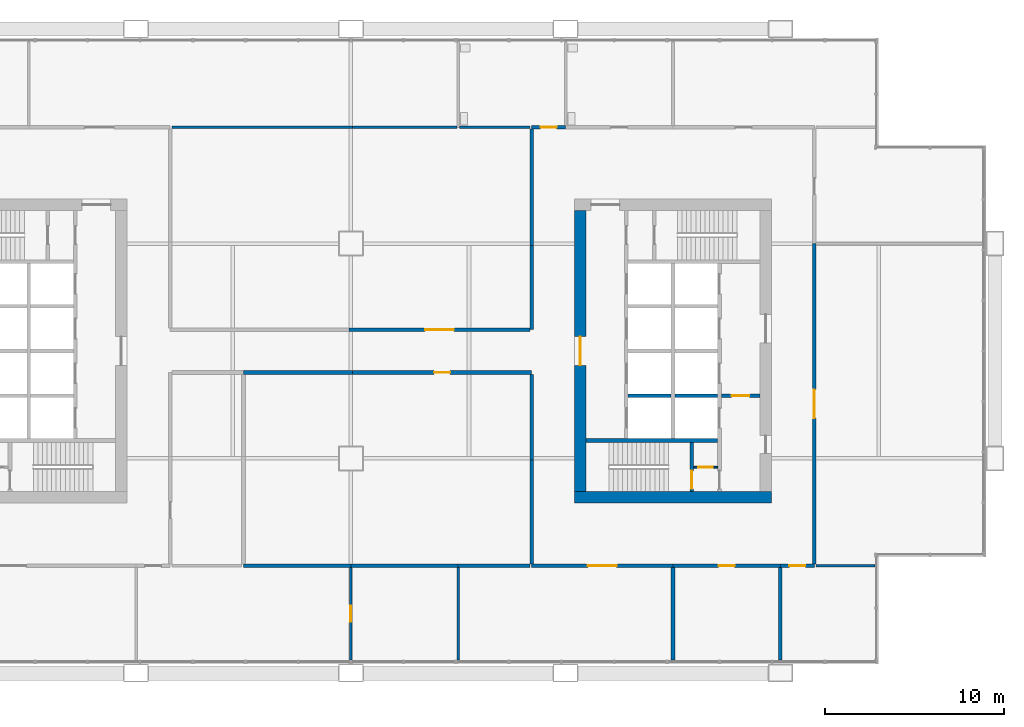
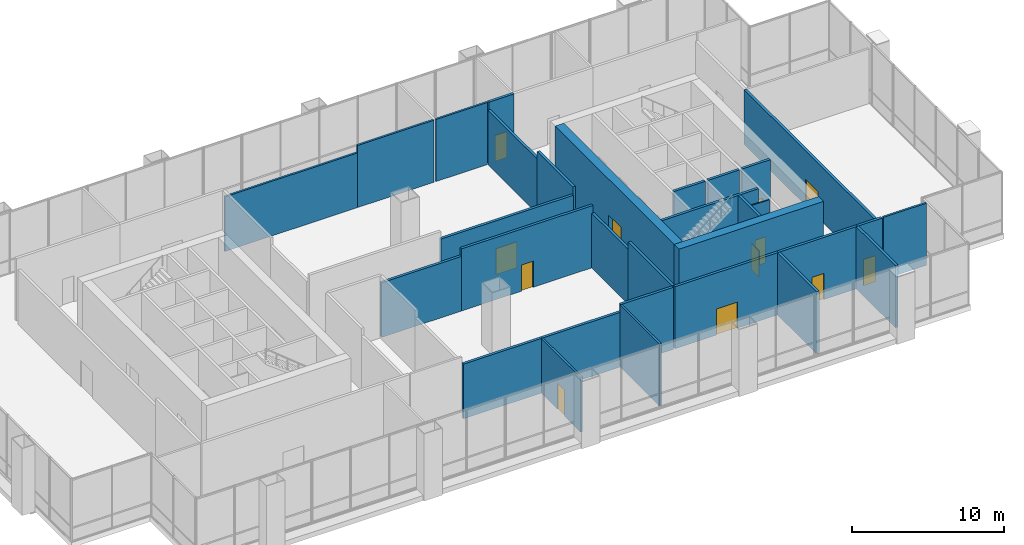
# One storey, part 16 of 20: 31 walls, 12 doors, 12 openings.
"""IFC4 building model written with IfcOpenShell, lengths in metres."""

import ifcopenshell
import ifcopenshell.guid

model = None  # the IFC model being written
_history = None  # IfcOwnerHistory: only IFC2X3 demands one
_inside = {}  # id of a spatial element -> (the spatial element, [elements in it])
_under = {}  # id of a project, library or spatial element -> (it, [spatial elements below it])
_declared = {}  # id of a project -> (the project, [libraries it declares])
_typed = {}  # id of a type object -> (the type object, [elements of that type])
_made_of = {}  # id of a material, layer set ... -> (it, [elements and type objects made of it])


def new_model(schema):
    """Start an empty IFC model of exactly this schema.

    Asked for "IFC4X3", IfcOpenShell would pick the latest addendum, in which some entities
    have other attributes; the version numbers below select the first issue.
    IFC2X3 requires an IfcOwnerHistory on every rooted entity: one is made here for all.
    """
    global model, _history
    if schema == "IFC4X3":
        model = ifcopenshell.file(schema_version=(4, 3, 0, 0))
    else:
        model = ifcopenshell.file(schema=schema)
    _inside.clear()
    _under.clear()
    _declared.clear()
    _typed.clear()
    _made_of.clear()
    _history = None
    if model.schema == "IFC2X3":
        org = make("IfcOrganization", Name="unknown")
        user = make(
            "IfcPersonAndOrganization",
            ThePerson=make("IfcPerson", FamilyName="unknown"),
            TheOrganization=org,
        )
        app = make(
            "IfcApplication",
            ApplicationDeveloper=org,
            Version="unknown",
            ApplicationFullName="unknown",
            ApplicationIdentifier="unknown",
        )
        _history = make(
            "IfcOwnerHistory",
            OwningUser=user,
            OwningApplication=app,
            ChangeAction="ADDED",
            CreationDate=0,
        )
    return model


def make(cls, **values):
    """One entity of the class cls with the attributes given. An attribute that is None is left unset."""
    return model.create_entity(
        cls, **{name: value for name, value in values.items() if value is not None}
    )


def rooted(cls, **values):
    """An entity with a GlobalId (a new one), such as an element, a storey or a relation."""
    return make(cls, GlobalId=ifcopenshell.guid.new(), OwnerHistory=_history, **values)


def si_unit(unit_type, name, prefix=None):
    """IfcSIUnit, for example si_unit("LENGTHUNIT", "METRE", prefix="MILLI")."""
    return make("IfcSIUnit", UnitType=unit_type, Prefix=prefix, Name=name)


def assignment(units):
    """IfcUnitAssignment: the units of a project."""
    return None if units is None else make("IfcUnitAssignment", Units=units)


def point(xyz):
    """IfcCartesianPoint."""
    return None if xyz is None else make("IfcCartesianPoint", Coordinates=xyz)


def direction(xyz):
    """IfcDirection."""
    return None if xyz is None else make("IfcDirection", DirectionRatios=xyz)


def frame(location, z_axis=None, x_axis=None):
    """IfcAxis2Placement3D, a coordinate frame: its origin and axes. An axis left out is left unset."""
    return make(
        "IfcAxis2Placement3D",
        Location=point(location),
        Axis=direction(z_axis),
        RefDirection=direction(x_axis),
    )


def frame_2d(location, x_axis=None):
    """IfcAxis2Placement2D, a coordinate frame in the plane: its origin and x axis."""
    return make(
        "IfcAxis2Placement2D", Location=point(location), RefDirection=direction(x_axis)
    )


def origin():
    """The frame at (0, 0, 0) with its axes left unset."""
    return frame((0.0, 0.0, 0.0))


def place(relative_to, where):
    """IfcLocalPlacement: puts the frame where relative to a parent placement (None: the world)."""
    return make(
        "IfcLocalPlacement", PlacementRelTo=relative_to, RelativePlacement=where
    )


def context(
    kind, dimensions, precision=None, world=None, true_north=None, identifier=None
):
    """IfcGeometricRepresentationContext, for example the 3D "Model" context."""
    return make(
        "IfcGeometricRepresentationContext",
        ContextIdentifier=identifier,
        ContextType=kind,
        CoordinateSpaceDimension=dimensions,
        Precision=precision,
        WorldCoordinateSystem=world,
        TrueNorth=true_north,
    )


def subcontext(parent, identifier, kind, view, scale=None):
    """IfcGeometricRepresentationSubContext, for example "Body" below "Model"."""
    return make(
        "IfcGeometricRepresentationSubContext",
        ContextIdentifier=identifier,
        ContextType=kind,
        ParentContext=parent,
        TargetScale=scale,
        TargetView=view,
    )


def project(units=None, contexts=None):
    """IfcProject with its units and contexts."""
    return rooted(
        "IfcProject",
        Name="project",
        RepresentationContexts=contexts,
        UnitsInContext=assignment(units),
    )


def spatial(cls, under=None, at=None, **own):
    """A site, building, storey or space (cls), placed at a placement, below another one or the project."""
    s = rooted(cls, ObjectPlacement=at, **own)
    if under is not None:
        _under.setdefault(under.id(), (under, []))[1].append(s)
    return s


def profile(cls, at=None, kind="AREA", **sizes):
    """A parametric profile (cls). Its sizes go by their IFC names, for example OverallWidth=200.0."""
    return make(cls, ProfileType=kind, Position=at, **sizes)


def rectangle(**sizes):
    """IfcRectangleProfileDef."""
    return profile("IfcRectangleProfileDef", **sizes)


def extrude(swept, where, along, depth):
    """IfcExtrudedAreaSolid: the profile swept, set in the frame where, extruded along a direction by depth."""
    return make(
        "IfcExtrudedAreaSolid",
        SweptArea=swept,
        Position=where,
        ExtrudedDirection=direction(along),
        Depth=depth,
    )


def shape(context_of_items, identifier, shape_type, items):
    """IfcShapeRepresentation: the items that make up one representation, for example the "Body"."""
    return make(
        "IfcShapeRepresentation",
        ContextOfItems=context_of_items,
        RepresentationIdentifier=identifier,
        RepresentationType=shape_type,
        Items=items,
    )


def material(Name=None, Category=None):
    """IfcMaterial."""
    return make("IfcMaterial", Name=Name, Category=Category)


def layer(
    of_material, thickness, ventilated=None, Name=None, Category=None, Priority=None
):
    """IfcMaterialLayer: one layer of a wall or slab, of a material (None: an air gap)."""
    return make(
        "IfcMaterialLayer",
        Material=of_material,
        LayerThickness=thickness,
        IsVentilated=ventilated,
        Name=Name,
        Category=Category,
        Priority=Priority,
    )


def layer_set(layers, Name=None):
    """IfcMaterialLayerSet."""
    return make("IfcMaterialLayerSet", MaterialLayers=layers, LayerSetName=Name)


def made_of(thing, what):
    """Note that an element or type object is made of a material, layer set ...; save() writes the relation."""
    if what is not None:
        _made_of.setdefault(what.id(), (what, []))[1].append(thing)
    return thing


def type_object(cls, material=None, **own):
    """A type object (cls), such as IfcWallType, which elements share."""
    return made_of(rooted(cls, **own), material)


def element(
    cls,
    number,
    at=None,
    inside=None,
    cuts=None,
    type_object=None,
    material=None,
    context=None,
    identifier="Body",
    shape_type=None,
    held_by="IfcProductDefinitionShape",
    body=None,
    shapes=None,
    **own,
):
    """One element of the class cls, such as IfcWall. Its Tag is "e" and its number.

    at: its placement. inside: the storey or other place that contains it. cuts: it is an
    opening in that element (IfcRelVoidsElement). A single representation is given by context,
    identifier, shape_type and body (its items); several are given by shapes. held_by: the class
    of the entity that holds the representations. save() writes the other relations.
    """
    e = rooted(cls, Tag="e%d" % number, ObjectPlacement=at, **own)
    if body is not None:
        shapes = [shape(context, identifier, shape_type, body)]
    if shapes is not None:
        e.Representation = make(held_by, Representations=shapes)
    if inside is not None:
        _inside.setdefault(inside.id(), (inside, []))[1].append(e)
    if cuts is not None:
        rooted(
            "IfcRelVoidsElement", RelatingBuildingElement=cuts, RelatedOpeningElement=e
        )
    if type_object is not None:
        _typed.setdefault(type_object.id(), (type_object, []))[1].append(e)
    return made_of(e, material)


def fill(opening, filler):
    """IfcRelFillsElement: the door or window that sits in an opening."""
    return rooted(
        "IfcRelFillsElement",
        RelatingOpeningElement=opening,
        RelatedBuildingElement=filler,
    )


def aggregate(whole, parts):
    """IfcRelAggregates: a whole, such as a stair, and the parts it consists of."""
    return rooted("IfcRelAggregates", RelatingObject=whole, RelatedObjects=parts)


def save(model, path):
    """Write the relations noted so far, then the file.

    IfcRelAggregates (storeys below a building ...), IfcRelContainedInSpatialStructure (elements
    in a storey), IfcRelDefinesByType, IfcRelAssociatesMaterial and IfcRelDeclares: one each for
    every whole, place, type object, material and project.
    """
    for whole, parts in _under.values():
        aggregate(whole, parts)
    for where, things in _inside.values():
        rooted(
            "IfcRelContainedInSpatialStructure",
            RelatedElements=things,
            RelatingStructure=where,
        )
    for kind, things in _typed.values():
        rooted("IfcRelDefinesByType", RelatedObjects=things, RelatingType=kind)
    for what, things in _made_of.values():
        rooted("IfcRelAssociatesMaterial", RelatedObjects=things, RelatingMaterial=what)
    for by, libraries in _declared.values():
        rooted("IfcRelDeclares", RelatingContext=by, RelatedDefinitions=libraries)
    model.write(path)


model = new_model("IFC4")

# Units and contexts
model_context = context("Model", 3, precision=1e-05, world=origin(), true_north=direction((0.0, 1.0)))
body_context = subcontext(model_context, "Body", "Model", "MODEL_VIEW")
ifc_project = project(units=[si_unit("LENGTHUNIT", "METRE"), si_unit("AREAUNIT", "SQUARE_METRE"), si_unit("VOLUMEUNIT", "CUBIC_METRE"), si_unit("PLANEANGLEUNIT", "RADIAN"), si_unit("MASSUNIT", "GRAM", prefix="KILO")], contexts=[model_context])

# Site, building, storey
site_placement = place(None, origin())
site = spatial("IfcSite", under=ifc_project, at=site_placement, CompositionType="ELEMENT")
building_placement = place(site_placement, origin())
building = spatial("IfcBuilding", under=site, at=building_placement, Name="Kitamizu Gate Tower and Museum", CompositionType="ELEMENT")
storey_placement = place(building_placement, frame((0.0, 0.0, 148.35009765625)))
storey = spatial("IfcBuildingStorey", under=building, at=storey_placement, Name="L39", CompositionType="ELEMENT", Elevation=148.35009765625)

# Wall
ifc_material_1 = material(Name="Concrete Fc60", Category="concrete")
ifc_layer_1 = layer(ifc_material_1, 0.64990234375)
ifc_layer_set_1 = layer_set([ifc_layer_1], Name="Concrete Fc60")
wall_type_1 = type_object("IfcWallType", Name="Core wall 650", PredefinedType="SHEAR", material=ifc_layer_set_1)
wall_1_placement = place(storey_placement, frame((59.5, 21.824951171875, 0.0), z_axis=(0.0, 0.0, 1.0), x_axis=(-1.0, 0.0, 0.0)))
element("IfcWall", 1, at=wall_1_placement, inside=storey, type_object=wall_type_1, Name="Core wall ES", PredefinedType="SHEAR", context=body_context, shape_type="SweptSolid", body=[
    extrude(rectangle(XDim=11.0, YDim=0.64990234375, at=frame_2d((5.5, 0.0))), origin(), (0.0, 0.0, 1.0), 5.0),
])

# Wall, opening, door
wall_2_placement = place(storey_placement, frame((48.824951171875, 22.14990234375, 0.0), z_axis=(0.0, 0.0, 1.0), x_axis=(0.0, 1.0, 0.0)))
wall_2 = element("IfcWall", 2, at=wall_2_placement, inside=storey, type_object=wall_type_1, Name="Core wall EARC", PredefinedType="SHEAR", context=body_context, shape_type="SweptSolid", body=[
    extrude(rectangle(XDim=15.7001953125, YDim=0.64990234375, at=frame_2d((7.85009765625, 0.0))), origin(), (0.0, 0.0, 1.0), 5.0),
])
opening_1_placement = place(wall_2_placement, frame((7.050048828125, 0.0, 0.0)))
opening_1 = element("IfcOpeningElement", 3, at=opening_1_placement, cuts=wall_2, Name="Opening L39-037", PredefinedType="OPENING", context=body_context, shape_type="SweptSolid", body=[
    extrude(rectangle(XDim=1.60009765625, YDim=2.10009765625, at=frame_2d((0.800048828125, 1.050048828125))), frame((0.0, 0.3349609375, 0.0), z_axis=(0.0, -1.0, 0.0), x_axis=(1.0, 0.0, 0.0)), (0.0, 0.0, 1.0), 0.669921875),
])
ifc_material_2 = material(Name="Timber door set", Category="wood")
door_type_1 = type_object("IfcDoorType", Name="Entrance door 1600", OperationType="DOUBLE_DOOR_SINGLE_SWING", PredefinedType="DOOR", material=ifc_material_2)
door_1_placement = place(opening_1_placement, origin())
door_1 = element("IfcDoor", 4, at=door_1_placement, inside=storey, type_object=door_type_1, Name="Lobby door L39-037", OperationType="DOUBLE_DOOR_SINGLE_SWING", OverallHeight=2.10009765625, OverallWidth=1.60009765625, PredefinedType="DOOR", context=body_context, shape_type="SweptSolid", body=[
    extrude(rectangle(XDim=1.60009765625, YDim=2.10009765625, at=frame_2d((0.800048828125, 1.050048828125))), frame((0.0, 0.02490234375, 0.0), z_axis=(0.0, -1.0, 0.0), x_axis=(1.0, 0.0, 0.0)), (0.0, 0.0, 1.0), 0.050048828125),
])
fill(opening_1, door_1)

ifc_material_3 = material(Name="Gypsum board on galvanised stud")
ifc_layer_2 = layer(ifc_material_3, 0.10009765625)
ifc_layer_set_2 = layer_set([ifc_layer_2], Name="Gypsum board on galvanised stud")
wall_type_2 = type_object("IfcWallType", Name="Partition 100", PredefinedType="PARTITIONING", material=ifc_layer_set_2)
wall_3_placement = place(storey_placement, frame((56.5, 23.5, 0.0), z_axis=(0.0, 0.0, 1.0), x_axis=(-1.0, 0.0, 0.0)))
wall_3 = element("IfcWall", 5, at=wall_3_placement, inside=storey, type_object=wall_type_2, Name="Partition EPZS", PredefinedType="PARTITIONING", context=body_context, shape_type="SweptSolid", body=[
    extrude(rectangle(XDim=1.35009765625, YDim=0.10009765625, at=frame_2d((0.675048828125, 0.0))), origin(), (0.0, 0.0, 1.0), 5.0),
])
opening_2_placement = place(wall_3_placement, frame((0.27490234375, 0.0, 0.0)))
opening_2 = element("IfcOpeningElement", 6, at=opening_2_placement, cuts=wall_3, Name="Opening L39-033", PredefinedType="OPENING", context=body_context, shape_type="SweptSolid", body=[
    extrude(rectangle(XDim=0.800048828125, YDim=2.10009765625, at=frame_2d((0.39990234375, 1.050048828125))), frame((0.0, 0.06005859375, 0.0), z_axis=(0.0, -1.0, 0.0), x_axis=(1.0, 0.0, 0.0)), (0.0, 0.0, 1.0), 0.1201171875),
])
ifc_material_4 = material(Name="Timber door set", Category="wood")
door_type_2 = type_object("IfcDoorType", Name="Cupboard door 800", OperationType="NOTDEFINED", PredefinedType="DOOR", material=ifc_material_4)
door_2_placement = place(opening_2_placement, origin())
door_2 = element("IfcDoor", 7, at=door_2_placement, inside=storey, type_object=door_type_2, Name="Cupboard door L39-033", OperationType="SINGLE_SWING_RIGHT", OverallHeight=2.10009765625, OverallWidth=0.800048828125, PredefinedType="DOOR", context=body_context, shape_type="SweptSolid", body=[
    extrude(rectangle(XDim=0.800048828125, YDim=2.10009765625, at=frame_2d((0.39990234375, 1.050048828125))), frame((0.0, 0.02490234375, 0.0), z_axis=(0.0, -1.0, 0.0), x_axis=(1.0, 0.0, 0.0)), (0.0, 0.0, 1.0), 0.050048828125),
])
fill(opening_2, door_2)

ifc_material_5 = material(Name="Gypsum board on galvanised stud")
ifc_layer_3 = layer(ifc_material_5, 0.14990234375)
ifc_layer_set_3 = layer_set([ifc_layer_3], Name="Gypsum board on galvanised stud")
wall_type_3 = type_object("IfcWallType", Name="Partition 150", PredefinedType="PARTITIONING", material=ifc_layer_set_3)
wall_4_placement = place(storey_placement, frame((36.0, 12.719970703125, 0.0), z_axis=(0.0, 0.0, 1.0), x_axis=(0.0, 1.0, 0.0)))
wall_4 = element("IfcWall", 8, at=wall_4_placement, inside=storey, type_object=wall_type_3, Name="Partition L39-030", PredefinedType="PARTITIONING", context=body_context, shape_type="SweptSolid", body=[
    extrude(rectangle(XDim=5.179931640625, YDim=0.14990234375, at=frame_2d((2.58984375, 0.0))), origin(), (0.0, 0.0, 1.0), 4.39990234375),
])
opening_3_placement = place(wall_4_placement, frame((2.139892578125, 0.0, 0.0)))
opening_3 = element("IfcOpeningElement", 9, at=opening_3_placement, cuts=wall_4, Name="Opening L39-003", PredefinedType="OPENING", context=body_context, shape_type="SweptSolid", body=[
    extrude(rectangle(XDim=0.89990234375, YDim=2.10009765625, at=frame_2d((0.449951171875, 1.050048828125))), frame((0.0, 0.0849609375, 0.0), z_axis=(0.0, -1.0, 0.0), x_axis=(1.0, 0.0, 0.0)), (0.0, 0.0, 1.0), 0.169921875),
])
ifc_material_6 = material(Name="Timber door set", Category="wood")
door_type_3 = type_object("IfcDoorType", Name="Room door 900", OperationType="NOTDEFINED", PredefinedType="DOOR", material=ifc_material_6)
door_3_placement = place(opening_3_placement, frame((0.89990234375, 0.0, 0.0), x_axis=(-1.0, 0.0, 0.0)))
door_3 = element("IfcDoor", 10, at=door_3_placement, inside=storey, type_object=door_type_3, Name="Door L39-003", OperationType="SINGLE_SWING_LEFT", OverallHeight=2.10009765625, OverallWidth=0.89990234375, PredefinedType="DOOR", context=body_context, shape_type="SweptSolid", body=[
    extrude(rectangle(XDim=0.89990234375, YDim=2.10009765625, at=frame_2d((0.449951171875, 1.050048828125))), frame((0.0, 0.02490234375, 0.0), z_axis=(0.0, -1.0, 0.0), x_axis=(1.0, 0.0, 0.0)), (0.0, 0.0, 1.0), 0.050048828125),
])
fill(opening_3, door_3)

# Walls
wall_5_placement = place(storey_placement, frame((42.0, 12.719970703125, 0.0), z_axis=(0.0, 0.0, 1.0), x_axis=(0.0, 1.0, 0.0)))
element("IfcWall", 11, at=wall_5_placement, inside=storey, type_object=wall_type_3, Name="Partition L39-033", PredefinedType="PARTITIONING", context=body_context, shape_type="SweptSolid", body=[
    extrude(rectangle(XDim=5.179931640625, YDim=0.14990234375, at=frame_2d((2.58984375, 0.0))), origin(), (0.0, 0.0, 1.0), 5.0),
])
wall_6_placement = place(storey_placement, frame((65.280029296875, 18.0, 0.0), z_axis=(0.0, 0.0, 1.0), x_axis=(-1.0, 0.0, 0.0)))
element("IfcWall", 12, at=wall_6_placement, inside=storey, type_object=wall_type_3, Name="Partition L39-038", PredefinedType="PARTITIONING", context=body_context, shape_type="SweptSolid", body=[
    extrude(rectangle(XDim=3.280029296875, YDim=0.14990234375, at=frame_2d((1.64013671875, 0.0))), origin(), (0.0, 0.0, 1.0), 5.0),
])
wall_7_placement = place(storey_placement, frame((26.0, 42.5, 0.0), z_axis=(0.0, 0.0, 1.0), x_axis=(1.0, 0.0, 0.0)))
element("IfcWall", 13, at=wall_7_placement, inside=storey, type_object=wall_type_3, Name="Partition L39-041", PredefinedType="PARTITIONING", context=body_context, shape_type="SweptSolid", body=[
    extrude(rectangle(XDim=10.10009765625, YDim=0.14990234375, at=frame_2d((5.050048828125, 0.0))), origin(), (0.0, 0.0, 1.0), 4.39990234375),
])
wall_8_placement = place(storey_placement, frame((36.10009765625, 42.5, 0.0), z_axis=(0.0, 0.0, 1.0), x_axis=(1.0, 0.0, 0.0)))
element("IfcWall", 14, at=wall_8_placement, inside=storey, type_object=wall_type_3, Name="Partition L39-042", PredefinedType="PARTITIONING", context=body_context, shape_type="SweptSolid", body=[
    extrude(rectangle(XDim=5.824951171875, YDim=0.14990234375, at=frame_2d((2.91259765625, 0.0))), origin(), (0.0, 0.0, 1.0), 5.0),
])
wall_9_placement = place(storey_placement, frame((42.074951171875, 42.5, 0.0), z_axis=(0.0, 0.0, 1.0), x_axis=(1.0, 0.0, 0.0)))
element("IfcWall", 15, at=wall_9_placement, inside=storey, type_object=wall_type_3, Name="Partition L39-044", PredefinedType="PARTITIONING", context=body_context, shape_type="SweptSolid", body=[
    extrude(rectangle(XDim=3.925048828125, YDim=0.14990234375, at=frame_2d((1.96240234375, 0.0))), origin(), (0.0, 0.0, 1.0), 5.0),
])

# Wall, opening, door
ifc_material_7 = material(Name="Gypsum board on galvanised stud")
ifc_layer_4 = layer(ifc_material_7, 0.199951171875)
ifc_layer_set_4 = layer_set([ifc_layer_4], Name="Gypsum board on galvanised stud")
wall_type_4 = type_object("IfcWallType", Name="Partition 200", PredefinedType="PARTITIONING", material=ifc_layer_set_4)
wall_10_placement = place(storey_placement, frame((46.10009765625, 18.0, 0.0), z_axis=(0.0, 0.0, 1.0), x_axis=(1.0, 0.0, 0.0)))
wall_10 = element("IfcWall", 16, at=wall_10_placement, inside=storey, type_object=wall_type_4, Name="Partition L39-003", PredefinedType="PARTITIONING", context=body_context, shape_type="SweptSolid", body=[
    extrude(rectangle(XDim=7.89990234375, YDim=0.199951171875, at=frame_2d((3.949951171875, 0.0))), origin(), (0.0, 0.0, 1.0), 5.0),
])
opening_4_placement = place(wall_10_placement, frame((3.14990234375, 0.0, 0.0)))
opening_4 = element("IfcOpeningElement", 17, at=opening_4_placement, cuts=wall_10, Name="Opening L39-004", PredefinedType="OPENING", context=body_context, shape_type="SweptSolid", body=[
    extrude(rectangle(XDim=1.60009765625, YDim=2.10009765625, at=frame_2d((0.800048828125, 1.050048828125))), frame((0.0, 0.10986328125, 0.0), z_axis=(0.0, -1.0, 0.0), x_axis=(1.0, 0.0, 0.0)), (0.0, 0.0, 1.0), 0.219970703125),
])
ifc_material_8 = material(Name="Timber door set", Category="wood")
door_type_4 = type_object("IfcDoorType", Name="Double door 1600", OperationType="DOUBLE_DOOR_SINGLE_SWING", PredefinedType="DOOR", material=ifc_material_8)
door_4_placement = place(opening_4_placement, origin())
door_4 = element("IfcDoor", 18, at=door_4_placement, inside=storey, type_object=door_type_4, Name="Double door L39-004", OperationType="DOUBLE_DOOR_SINGLE_SWING", OverallHeight=2.10009765625, OverallWidth=1.60009765625, PredefinedType="DOOR", context=body_context, shape_type="SweptSolid", body=[
    extrude(rectangle(XDim=1.60009765625, YDim=2.10009765625, at=frame_2d((0.800048828125, 1.050048828125))), frame((0.0, 0.02490234375, 0.0), z_axis=(0.0, -1.0, 0.0), x_axis=(1.0, 0.0, 0.0)), (0.0, 0.0, 1.0), 0.050048828125),
])
fill(opening_4, door_4)

wall_11_placement = place(storey_placement, frame((54.0, 18.0, 0.0), z_axis=(0.0, 0.0, 1.0), x_axis=(1.0, 0.0, 0.0)))
wall_11 = element("IfcWall", 19, at=wall_11_placement, inside=storey, type_object=wall_type_4, Name="Partition L39-004", PredefinedType="PARTITIONING", context=body_context, shape_type="SweptSolid", body=[
    extrude(rectangle(XDim=6.0, YDim=0.199951171875, at=frame_2d((3.0, 0.0))), origin(), (0.0, 0.0, 1.0), 5.0),
])
opening_5_placement = place(wall_11_placement, frame((2.550048828125, 0.0, 0.0)))
opening_5 = element("IfcOpeningElement", 20, at=opening_5_placement, cuts=wall_11, Name="Opening L39-005", PredefinedType="OPENING", context=body_context, shape_type="SweptSolid", body=[
    extrude(rectangle(XDim=0.89990234375, YDim=2.10009765625, at=frame_2d((0.449951171875, 1.050048828125))), frame((0.0, 0.10986328125, 0.0), z_axis=(0.0, -1.0, 0.0), x_axis=(1.0, 0.0, 0.0)), (0.0, 0.0, 1.0), 0.219970703125),
])
ifc_material_9 = material(Name="Timber door set", Category="wood")
door_type_5 = type_object("IfcDoorType", Name="Store door 900", OperationType="NOTDEFINED", PredefinedType="DOOR", material=ifc_material_9)
door_5_placement = place(opening_5_placement, frame((0.89990234375, 0.0, 0.0), x_axis=(-1.0, 0.0, 0.0)))
door_5 = element("IfcDoor", 21, at=door_5_placement, inside=storey, type_object=door_type_5, Name="Store door L39-005", OperationType="SINGLE_SWING_RIGHT", OverallHeight=2.10009765625, OverallWidth=0.89990234375, PredefinedType="DOOR", context=body_context, shape_type="SweptSolid", body=[
    extrude(rectangle(XDim=0.89990234375, YDim=2.10009765625, at=frame_2d((0.449951171875, 1.050048828125))), frame((0.0, 0.02490234375, 0.0), z_axis=(0.0, -1.0, 0.0), x_axis=(1.0, 0.0, 0.0)), (0.0, 0.0, 1.0), 0.050048828125),
])
fill(opening_5, door_5)

wall_12_placement = place(storey_placement, frame((60.0, 18.0, 0.0), z_axis=(0.0, 0.0, 1.0), x_axis=(1.0, 0.0, 0.0)))
wall_12 = element("IfcWall", 22, at=wall_12_placement, inside=storey, type_object=wall_type_4, Name="Partition L39-005", PredefinedType="PARTITIONING", context=body_context, shape_type="SweptSolid", body=[
    extrude(rectangle(XDim=1.89990234375, YDim=0.199951171875, at=frame_2d((0.949951171875, 0.0))), origin(), (0.0, 0.0, 1.0), 5.0),
])
opening_6_placement = place(wall_12_placement, frame((0.5, 0.0, 0.0)))
opening_6 = element("IfcOpeningElement", 23, at=opening_6_placement, cuts=wall_12, Name="Opening L39-006", PredefinedType="OPENING", context=body_context, shape_type="SweptSolid", body=[
    extrude(rectangle(XDim=0.89990234375, YDim=2.10009765625, at=frame_2d((0.449951171875, 1.050048828125))), frame((0.0, 0.10986328125, 0.0), z_axis=(0.0, -1.0, 0.0), x_axis=(1.0, 0.0, 0.0)), (0.0, 0.0, 1.0), 0.219970703125),
])
door_6_placement = place(opening_6_placement, frame((0.89990234375, 0.0, 0.0), x_axis=(-1.0, 0.0, 0.0)))
door_6 = element("IfcDoor", 24, at=door_6_placement, inside=storey, type_object=door_type_3, Name="Door L39-006", OperationType="SINGLE_SWING_LEFT", OverallHeight=2.10009765625, OverallWidth=0.89990234375, PredefinedType="DOOR", context=body_context, shape_type="SweptSolid", body=[
    extrude(rectangle(XDim=0.89990234375, YDim=2.10009765625, at=frame_2d((0.449951171875, 1.050048828125))), frame((0.0, 0.02490234375, 0.0), z_axis=(0.0, -1.0, 0.0), x_axis=(1.0, 0.0, 0.0)), (0.0, 0.0, 1.0), 0.050048828125),
])
fill(opening_6, door_6)

wall_13_placement = place(storey_placement, frame((48.0, 42.5, 0.0), z_axis=(0.0, 0.0, 1.0), x_axis=(-1.0, 0.0, 0.0)))
wall_13 = element("IfcWall", 25, at=wall_13_placement, inside=storey, type_object=wall_type_4, Name="Partition L39-008", PredefinedType="PARTITIONING", context=body_context, shape_type="SweptSolid", body=[
    extrude(rectangle(XDim=1.89990234375, YDim=0.199951171875, at=frame_2d((0.949951171875, 0.0))), origin(), (0.0, 0.0, 1.0), 5.0),
])
opening_7_placement = place(wall_13_placement, frame((0.5, 0.0, 0.0)))
opening_7 = element("IfcOpeningElement", 26, at=opening_7_placement, cuts=wall_13, Name="Opening L39-009", PredefinedType="OPENING", context=body_context, shape_type="SweptSolid", body=[
    extrude(rectangle(XDim=0.89990234375, YDim=2.10009765625, at=frame_2d((0.449951171875, 1.050048828125))), frame((0.0, 0.10986328125, 0.0), z_axis=(0.0, -1.0, 0.0), x_axis=(1.0, 0.0, 0.0)), (0.0, 0.0, 1.0), 0.219970703125),
])
door_7_placement = place(opening_7_placement, frame((0.89990234375, 0.0, 0.0), x_axis=(-1.0, 0.0, 0.0)))
door_7 = element("IfcDoor", 27, at=door_7_placement, inside=storey, type_object=door_type_5, Name="Store door L39-009", OperationType="SINGLE_SWING_LEFT", OverallHeight=2.10009765625, OverallWidth=0.89990234375, PredefinedType="DOOR", context=body_context, shape_type="SweptSolid", body=[
    extrude(rectangle(XDim=0.89990234375, YDim=2.10009765625, at=frame_2d((0.449951171875, 1.050048828125))), frame((0.0, 0.02490234375, 0.0), z_axis=(0.0, -1.0, 0.0), x_axis=(1.0, 0.0, 0.0)), (0.0, 0.0, 1.0), 0.050048828125),
])
fill(opening_7, door_7)

wall_14_placement = place(storey_placement, frame((61.89990234375, 18.10009765625, 0.0), z_axis=(0.0, 0.0, 1.0), x_axis=(0.0, 1.0, 0.0)))
wall_14 = element("IfcWall", 28, at=wall_14_placement, inside=storey, type_object=wall_type_4, Name="Partition L39-013", PredefinedType="PARTITIONING", context=body_context, shape_type="SweptSolid", body=[
    extrude(rectangle(XDim=17.89990234375, YDim=0.199951171875, at=frame_2d((8.949951171875, 0.0))), origin(), (0.0, 0.0, 1.0), 4.39990234375),
])
opening_8_placement = place(wall_14_placement, frame((8.14990234375, 0.0, 0.0)))
opening_8 = element("IfcOpeningElement", 29, at=opening_8_placement, cuts=wall_14, Name="Opening L39-013", PredefinedType="OPENING", context=body_context, shape_type="SweptSolid", body=[
    extrude(rectangle(XDim=1.60009765625, YDim=2.10009765625, at=frame_2d((0.800048828125, 1.050048828125))), frame((0.0, 0.10986328125, 0.0), z_axis=(0.0, -1.0, 0.0), x_axis=(1.0, 0.0, 0.0)), (0.0, 0.0, 1.0), 0.219970703125),
])
door_8_placement = place(opening_8_placement, origin())
door_8 = element("IfcDoor", 30, at=door_8_placement, inside=storey, type_object=door_type_4, Name="Double door L39-013", OperationType="DOUBLE_DOOR_SINGLE_SWING", OverallHeight=2.10009765625, OverallWidth=1.60009765625, PredefinedType="DOOR", context=body_context, shape_type="SweptSolid", body=[
    extrude(rectangle(XDim=1.60009765625, YDim=2.10009765625, at=frame_2d((0.800048828125, 1.050048828125))), frame((0.0, 0.02490234375, 0.0), z_axis=(0.0, -1.0, 0.0), x_axis=(1.0, 0.0, 0.0)), (0.0, 0.0, 1.0), 0.050048828125),
])
fill(opening_8, door_8)

# Wall
wall_15_placement = place(storey_placement, frame((30.0, 28.800048828125, 0.0), z_axis=(0.0, 0.0, 1.0), x_axis=(1.0, 0.0, 0.0)))
element("IfcWall", 31, at=wall_15_placement, inside=storey, type_object=wall_type_4, Name="Partition L39-018", PredefinedType="PARTITIONING", context=body_context, shape_type="SweptSolid", body=[
    extrude(rectangle(XDim=6.10009765625, YDim=0.199951171875, at=frame_2d((3.050048828125, 0.0))), origin(), (0.0, 0.0, 1.0), 4.39990234375),
])

# Wall, opening, door
wall_16_placement = place(storey_placement, frame((36.10009765625, 28.800048828125, 0.0), z_axis=(0.0, 0.0, 1.0), x_axis=(1.0, 0.0, 0.0)))
wall_16 = element("IfcWall", 32, at=wall_16_placement, inside=storey, type_object=wall_type_4, Name="Partition L39-019", PredefinedType="PARTITIONING", context=body_context, shape_type="SweptSolid", body=[
    extrude(rectangle(XDim=10.0, YDim=0.199951171875, at=frame_2d((5.0, 0.0))), origin(), (0.0, 0.0, 1.0), 5.0),
])
opening_9_placement = place(wall_16_placement, frame((4.550048828125, 0.0, 0.0)))
opening_9 = element("IfcOpeningElement", 33, at=opening_9_placement, cuts=wall_16, Name="Opening L39-016", PredefinedType="OPENING", context=body_context, shape_type="SweptSolid", body=[
    extrude(rectangle(XDim=0.89990234375, YDim=2.10009765625, at=frame_2d((0.449951171875, 1.050048828125))), frame((0.0, 0.10986328125, 0.0), z_axis=(0.0, -1.0, 0.0), x_axis=(1.0, 0.0, 0.0)), (0.0, 0.0, 1.0), 0.219970703125),
])
door_9_placement = place(opening_9_placement, frame((0.89990234375, 0.0, 0.0), x_axis=(-1.0, 0.0, 0.0)))
door_9 = element("IfcDoor", 34, at=door_9_placement, inside=storey, type_object=door_type_5, Name="Store door L39-016", OperationType="SINGLE_SWING_RIGHT", OverallHeight=2.10009765625, OverallWidth=0.89990234375, PredefinedType="DOOR", context=body_context, shape_type="SweptSolid", body=[
    extrude(rectangle(XDim=0.89990234375, YDim=2.10009765625, at=frame_2d((0.449951171875, 1.050048828125))), frame((0.0, 0.02490234375, 0.0), z_axis=(0.0, -1.0, 0.0), x_axis=(1.0, 0.0, 0.0)), (0.0, 0.0, 1.0), 0.050048828125),
])
fill(opening_9, door_9)

# Walls
wall_17_placement = place(storey_placement, frame((46.10009765625, 28.699951171875, 0.0), z_axis=(0.0, 0.0, 1.0), x_axis=(0.0, -1.0, 0.0)))
element("IfcWall", 35, at=wall_17_placement, inside=storey, type_object=wall_type_4, Name="Partition L39-020", PredefinedType="PARTITIONING", context=body_context, shape_type="SweptSolid", body=[
    extrude(rectangle(XDim=4.800048828125, YDim=0.199951171875, at=frame_2d((2.39990234375, 0.0))), origin(), (0.0, 0.0, 1.0), 4.39990234375),
])
wall_18_placement = place(storey_placement, frame((46.10009765625, 23.89990234375, 0.0), z_axis=(0.0, 0.0, 1.0), x_axis=(0.0, -1.0, 0.0)))
element("IfcWall", 36, at=wall_18_placement, inside=storey, type_object=wall_type_4, Name="Partition L39-021", PredefinedType="PARTITIONING", context=body_context, shape_type="SweptSolid", body=[
    extrude(rectangle(XDim=5.7998046875, YDim=0.199951171875, at=frame_2d((2.89990234375, 0.0))), origin(), (0.0, 0.0, 1.0), 5.0),
])
wall_19_placement = place(storey_placement, frame((46.10009765625, 42.39990234375, 0.0), z_axis=(0.0, 0.0, 1.0), x_axis=(0.0, -1.0, 0.0)))
element("IfcWall", 37, at=wall_19_placement, inside=storey, type_object=wall_type_4, Name="Partition L39-022", PredefinedType="PARTITIONING", context=body_context, shape_type="SweptSolid", body=[
    extrude(rectangle(XDim=6.5, YDim=0.199951171875, at=frame_2d((3.25, 0.0))), origin(), (0.0, 0.0, 1.0), 4.39990234375),
])
wall_20_placement = place(storey_placement, frame((46.10009765625, 35.89990234375, 0.0), z_axis=(0.0, 0.0, 1.0), x_axis=(0.0, -1.0, 0.0)))
element("IfcWall", 38, at=wall_20_placement, inside=storey, type_object=wall_type_4, Name="Partition L39-023", PredefinedType="PARTITIONING", context=body_context, shape_type="SweptSolid", body=[
    extrude(rectangle(XDim=4.699951171875, YDim=0.199951171875, at=frame_2d((2.35009765625, 0.0))), origin(), (0.0, 0.0, 1.0), 5.0),
])

# Wall, opening, door
wall_21_placement = place(storey_placement, frame((46.0, 31.199951171875, 0.0), z_axis=(0.0, 0.0, 1.0), x_axis=(-1.0, 0.0, 0.0)))
wall_21 = element("IfcWall", 39, at=wall_21_placement, inside=storey, type_object=wall_type_4, Name="Partition L39-024", PredefinedType="PARTITIONING", context=body_context, shape_type="SweptSolid", body=[
    extrude(rectangle(XDim=10.10009765625, YDim=0.199951171875, at=frame_2d((5.050048828125, 0.0))), origin(), (0.0, 0.0, 1.0), 4.39990234375),
])
opening_10_placement = place(wall_21_placement, frame((4.25, 0.0, 0.0)))
opening_10 = element("IfcOpeningElement", 40, at=opening_10_placement, cuts=wall_21, Name="Opening L39-017", PredefinedType="OPENING", context=body_context, shape_type="SweptSolid", body=[
    extrude(rectangle(XDim=1.60009765625, YDim=2.10009765625, at=frame_2d((0.800048828125, 1.050048828125))), frame((0.0, 0.10986328125, 0.0), z_axis=(0.0, -1.0, 0.0), x_axis=(1.0, 0.0, 0.0)), (0.0, 0.0, 1.0), 0.219970703125),
])
door_10_placement = place(opening_10_placement, origin())
door_10 = element("IfcDoor", 41, at=door_10_placement, inside=storey, type_object=door_type_4, Name="Double door L39-017", OperationType="DOUBLE_DOOR_SINGLE_SWING", OverallHeight=2.10009765625, OverallWidth=1.60009765625, PredefinedType="DOOR", context=body_context, shape_type="SweptSolid", body=[
    extrude(rectangle(XDim=1.60009765625, YDim=2.10009765625, at=frame_2d((0.800048828125, 1.050048828125))), frame((0.0, 0.02490234375, 0.0), z_axis=(0.0, -1.0, 0.0), x_axis=(1.0, 0.0, 0.0)), (0.0, 0.0, 1.0), 0.050048828125),
])
fill(opening_10, door_10)

# Walls
for number, where, z_axis, x_axis, name in (
    (42, (36.0, 18.0, 0.0), (0.0, 0.0, 1.0), (-1.0, 0.0, 0.0), "Partition L39-032"),
    (43, (42.0, 18.0, 0.0), (0.0, 0.0, 1.0), (-1.0, 0.0, 0.0), "Partition L39-034"),
):
    element("IfcWall", number, at=place(storey_placement, frame(where, z_axis=z_axis, x_axis=x_axis)), inside=storey, type_object=wall_type_4, Name=name, PredefinedType="PARTITIONING", context=body_context, shape_type="SweptSolid", body=[
        extrude(rectangle(XDim=6.0, YDim=0.199951171875, at=frame_2d((3.0, 0.0))), origin(), (0.0, 0.0, 1.0), 4.39990234375),
    ])
wall_22_placement = place(storey_placement, frame((54.0, 12.719970703125, 0.0), z_axis=(0.0, 0.0, 1.0), x_axis=(0.0, 1.0, 0.0)))
element("IfcWall", 44, at=wall_22_placement, inside=storey, type_object=wall_type_4, Name="Partition L39-035", PredefinedType="PARTITIONING", context=body_context, shape_type="SweptSolid", body=[
    extrude(rectangle(XDim=5.179931640625, YDim=0.199951171875, at=frame_2d((2.58984375, 0.0))), origin(), (0.0, 0.0, 1.0), 5.0),
])
wall_23_placement = place(storey_placement, frame((46.0, 18.0, 0.0), z_axis=(0.0, 0.0, 1.0), x_axis=(-1.0, 0.0, 0.0)))
element("IfcWall", 45, at=wall_23_placement, inside=storey, type_object=wall_type_4, Name="Partition L39-036", PredefinedType="PARTITIONING", context=body_context, shape_type="SweptSolid", body=[
    extrude(rectangle(XDim=4.0, YDim=0.199951171875, at=frame_2d((2.0, 0.0))), origin(), (0.0, 0.0, 1.0), 5.0),
])
wall_24_placement = place(storey_placement, frame((60.0, 12.719970703125, 0.0), z_axis=(0.0, 0.0, 1.0), x_axis=(0.0, 1.0, 0.0)))
element("IfcWall", 46, at=wall_24_placement, inside=storey, type_object=wall_type_4, Name="Partition L39-037", PredefinedType="PARTITIONING", context=body_context, shape_type="SweptSolid", body=[
    extrude(rectangle(XDim=5.179931640625, YDim=0.199951171875, at=frame_2d((2.58984375, 0.0))), origin(), (0.0, 0.0, 1.0), 5.0),
])
ifc_material_10 = material(Name="Concrete Fc42", Category="concrete")
ifc_layer_5 = layer(ifc_material_10, 0.199951171875)
ifc_layer_set_5 = layer_set([ifc_layer_5], Name="Concrete Fc42")
wall_type_5 = type_object("IfcWallType", Name="Shaft wall 200", PredefinedType="SOLIDWALL", material=ifc_layer_set_5)
wall_25_placement = place(storey_placement, frame((56.5, 25.0, 0.0), z_axis=(0.0, 0.0, 1.0), x_axis=(-1.0, 0.0, 0.0)))
element("IfcWall", 47, at=wall_25_placement, inside=storey, type_object=wall_type_5, Name="Shaft wall ESB", PredefinedType="SOLIDWALL", context=body_context, shape_type="SweptSolid", body=[
    extrude(rectangle(XDim=7.35009765625, YDim=0.199951171875, at=frame_2d((3.675048828125, 0.0))), origin(), (0.0, 0.0, 1.0), 5.0),
])

# Wall, opening, door
wall_26_placement = place(storey_placement, frame((58.85009765625, 27.5, 0.0), z_axis=(0.0, 0.0, 1.0), x_axis=(-1.0, 0.0, 0.0)))
wall_26 = element("IfcWall", 48, at=wall_26_placement, inside=storey, type_object=wall_type_5, Name="Shaft wall EFFN", PredefinedType="SOLIDWALL", context=body_context, shape_type="SweptSolid", body=[
    extrude(rectangle(XDim=2.150146484375, YDim=0.199951171875, at=frame_2d((1.0751953125, 0.0))), origin(), (0.0, 0.0, 1.0), 5.0),
])
opening_11_placement = place(wall_26_placement, frame((0.574951171875, 0.0, 0.0)))
opening_11 = element("IfcOpeningElement", 49, at=opening_11_placement, cuts=wall_26, Name="Opening L39-032", PredefinedType="OPENING", context=body_context, shape_type="SweptSolid", body=[
    extrude(rectangle(XDim=1.0, YDim=2.10009765625, at=frame_2d((0.5, 1.050048828125))), frame((0.0, 0.10986328125, 0.0), z_axis=(0.0, -1.0, 0.0), x_axis=(1.0, 0.0, 0.0)), (0.0, 0.0, 1.0), 0.219970703125),
])
ifc_material_11 = material(Name="Hollow metal door set")
door_type_6 = type_object("IfcDoorType", Name="Fire door 1000", OperationType="NOTDEFINED", PredefinedType="DOOR", material=ifc_material_11)
door_11_placement = place(opening_11_placement, origin())
door_11 = element("IfcDoor", 50, at=door_11_placement, inside=storey, type_object=door_type_6, Name="Fire-fighting lobby door L39-032", OperationType="SINGLE_SWING_LEFT", OverallHeight=2.10009765625, OverallWidth=1.0, PredefinedType="DOOR", context=body_context, shape_type="SweptSolid", body=[
    extrude(rectangle(XDim=1.0, YDim=2.10009765625, at=frame_2d((0.5, 1.050048828125))), frame((0.0, 0.02490234375, 0.0), z_axis=(0.0, -1.0, 0.0), x_axis=(1.0, 0.0, 0.0)), (0.0, 0.0, 1.0), 0.050048828125),
])
fill(opening_11, door_11)

wall_27_placement = place(storey_placement, frame((55.050048828125, 22.14990234375, 0.0), z_axis=(0.0, 0.0, 1.0), x_axis=(0.0, 1.0, 0.0)))
wall_27 = element("IfcWall", 51, at=wall_27_placement, inside=storey, type_object=wall_type_5, Name="Shaft wall ESZ", PredefinedType="SOLIDWALL", context=body_context, shape_type="SweptSolid", body=[
    extrude(rectangle(XDim=2.75, YDim=0.199951171875, at=frame_2d((1.375, 0.0))), origin(), (0.0, 0.0, 1.0), 5.0),
])
opening_12_placement = place(wall_27_placement, frame((0.14990234375, 0.0, 0.0)))
opening_12 = element("IfcOpeningElement", 52, at=opening_12_placement, cuts=wall_27, Name="Opening L39-028", PredefinedType="OPENING", context=body_context, shape_type="SweptSolid", body=[
    extrude(rectangle(XDim=1.0, YDim=2.10009765625, at=frame_2d((0.5, 1.050048828125))), frame((0.0, 0.10986328125, 0.0), z_axis=(0.0, -1.0, 0.0), x_axis=(1.0, 0.0, 0.0)), (0.0, 0.0, 1.0), 0.219970703125),
])
door_12_placement = place(opening_12_placement, origin())
door_12 = element("IfcDoor", 53, at=door_12_placement, inside=storey, type_object=door_type_6, Name="Stair door L39-028", OperationType="SINGLE_SWING_RIGHT", OverallHeight=2.10009765625, OverallWidth=1.0, PredefinedType="DOOR", context=body_context, shape_type="SweptSolid", body=[
    extrude(rectangle(XDim=1.0, YDim=2.10009765625, at=frame_2d((0.5, 1.050048828125))), frame((0.0, 0.02490234375, 0.0), z_axis=(0.0, -1.0, 0.0), x_axis=(1.0, 0.0, 0.0)), (0.0, 0.0, 1.0), 0.050048828125),
])
fill(opening_12, door_12)

# Walls
for number, where, z_axis, x_axis, name in (
    (54, (56.5, 27.5, 0.0), (0.0, 0.0, 1.0), (-1.0, 0.0, 0.0), "Shaft wall EDVW0"),
    (55, (53.89990234375, 27.5, 0.0), (0.0, 0.0, 1.0), (-1.0, 0.0, 0.0), "Shaft wall EDVE0"),
):
    element("IfcWall", number, at=place(storey_placement, frame(where, z_axis=z_axis, x_axis=x_axis)), inside=storey, type_object=wall_type_5, Name=name, PredefinedType="SOLIDWALL", context=body_context, shape_type="SweptSolid", body=[
        extrude(rectangle(XDim=2.39990234375, YDim=0.199951171875, at=frame_2d((1.199951171875, 0.0))), origin(), (0.0, 0.0, 1.0), 5.0),
    ])

save(model, "model.ifc")
